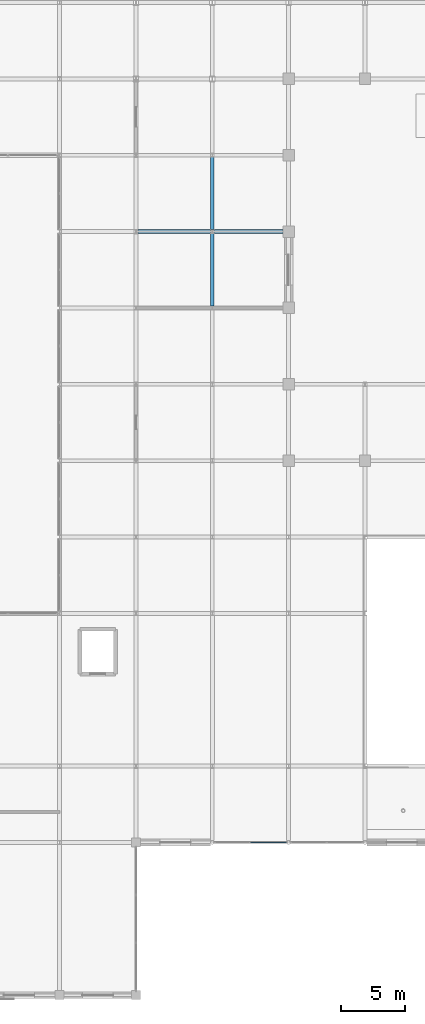
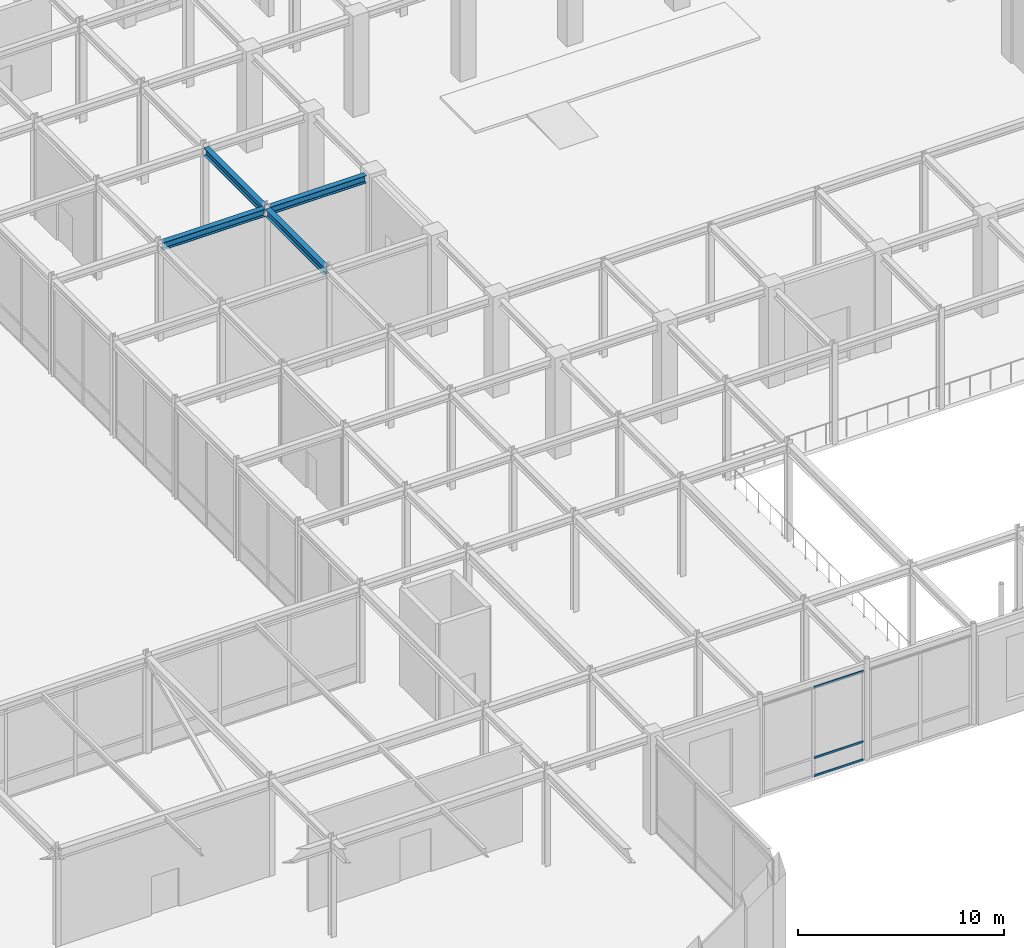
# One storey, part 53 of 108: 4 beams, 3 members, 1 element without a shape of its own.
"""IFC4 building model written with IfcOpenShell, lengths in metres."""

from ifc_helpers import new_model, si_unit, direction, frame, origin, origin_2d, place, context, subcontext, project, spatial, hollow_rectangle, i_section, extrude, material, layer, layer_set, material_profile, profile_set, type_object, element, aggregate, save


model = new_model("IFC4")

# Units and contexts
model_context = context("Model", 3, precision=1e-05, world=origin(), true_north=direction((0.0, 1.0)))
body_context = subcontext(model_context, "Body", "Model", "MODEL_VIEW")
ifc_project = project(units=[si_unit("LENGTHUNIT", "METRE"), si_unit("AREAUNIT", "SQUARE_METRE"), si_unit("VOLUMEUNIT", "CUBIC_METRE"), si_unit("PLANEANGLEUNIT", "RADIAN"), si_unit("MASSUNIT", "GRAM", prefix="KILO")], contexts=[model_context])

# Site, building, storey
site_placement = place(None, origin())
site = spatial("IfcSite", under=ifc_project, at=site_placement, CompositionType="ELEMENT")
building_placement = place(site_placement, origin())
building = spatial("IfcBuilding", under=site, at=building_placement, Name="Zlatovratsky Civic Hall", CompositionType="ELEMENT")
storey_placement = place(building_placement, frame((0.0, 0.0, 6.0)))
storey = spatial("IfcBuildingStorey", under=building, at=storey_placement, Name="L02", CompositionType="ELEMENT", Elevation=6.0)

# Beams
ifc_material_1 = material(Name="Steel S355", Category="steel")
ifc_material_profile_1 = material_profile(ifc_material_1, i_section(OverallWidth=0.300048828125, OverallDepth=0.43994140625, WebThickness=0.010986328125, FlangeThickness=0.01806640625, FilletRadius=0.02197265625, at=origin_2d()), Name="45Sh1")
ifc_profile_set_1 = profile_set([ifc_material_profile_1], Name="Steel S355")
beam_type = type_object("IfcBeamType", Name="Beam_TowerLow_45Sh1", PredefinedType="BEAM", material=ifc_profile_set_1)
beam_1_placement = place(storey_placement, frame((54.14990234375, 60.0, 5.5400390625), z_axis=(1.0, 0.0, 0.0), x_axis=(0.0, 1.0, 0.0)))
element("IfcBeam", 1, at=beam_1_placement, inside=storey, type_object=beam_type, Name="BM-1862", PredefinedType="BEAM", context=body_context, shape_type="SweptSolid", body=[
    extrude(i_section(OverallWidth=0.300048828125, OverallDepth=0.43994140625, WebThickness=0.010986328125, FlangeThickness=0.01806640625, FilletRadius=0.02197265625, at=origin_2d()), origin(), (0.0, 0.0, 1.0), 5.7001953125),
])
beam_2_placement = place(storey_placement, frame((60.14990234375, 60.0, 5.5400390625), z_axis=(1.0, 0.0, 0.0), x_axis=(0.0, 1.0, 0.0)))
element("IfcBeam", 2, at=beam_2_placement, inside=storey, type_object=beam_type, Name="BM-1863", PredefinedType="BEAM", context=body_context, shape_type="SweptSolid", body=[
    extrude(i_section(OverallWidth=0.300048828125, OverallDepth=0.43994140625, WebThickness=0.010986328125, FlangeThickness=0.01806640625, FilletRadius=0.02197265625, at=origin_2d()), origin(), (0.0, 0.0, 1.0), 5.400146484375),
])
for number, where, z_axis, x_axis, name in (
    (3, (60.0, 54.14990234375, 5.5400390625), (0.0, 1.0, 0.0), (-1.0, 0.0, 0.0), "BM-2170"),
    (4, (60.0, 60.14990234375, 5.5400390625), (0.0, 1.0, 0.0), (-1.0, 0.0, 0.0), "BM-2171"),
):
    element("IfcBeam", number, at=place(storey_placement, frame(where, z_axis=z_axis, x_axis=x_axis)), inside=storey, type_object=beam_type, Name=name, PredefinedType="BEAM", context=body_context, shape_type="SweptSolid", body=[
        extrude(i_section(OverallWidth=0.300048828125, OverallDepth=0.43994140625, WebThickness=0.010986328125, FlangeThickness=0.01806640625, FilletRadius=0.02197265625, at=origin_2d()), origin(), (0.0, 0.0, 1.0), 5.7001953125),
    ])

# Curtain wall, members
ifc_material_2 = material(Name="Anodised bronze aluminium", Category="aluminium")
ifc_layer = layer(ifc_material_2, 0.159912109375)
ifc_layer_set = layer_set([ifc_layer], Name="Anodised bronze aluminium")
curtain_wall_type = type_object("IfcCurtainWallType", Name="CurtainWall_Bronze_5730x5310_03", PredefinedType="NOTDEFINED", material=ifc_layer_set)
curtain_wall_placement = place(storey_placement, origin())
curtain_wall = element("IfcCurtainWall", 5, at=curtain_wall_placement, inside=storey, type_object=curtain_wall_type, Name="CW-005", PredefinedType="NOTDEFINED")
ifc_material_profile_2 = material_profile(ifc_material_2, hollow_rectangle(XDim=0.06005859375, YDim=0.1201171875, WallThickness=0.00390625, at=origin_2d()), Name="ALU 60x120x4")
ifc_profile_set_2 = profile_set([ifc_material_profile_2], Name="Anodised bronze aluminium")
member_type = type_object("IfcMemberType", Name="CW_Transom_60x120", PredefinedType="USERDEFINED", material=ifc_profile_set_2)
member_1_placement = place(storey_placement, frame((63.030029296875, 12.0, 0.030029296875), z_axis=(1.0, 0.0, 0.0), x_axis=(0.0, 1.0, 0.0)))
member_1 = element("IfcMember", 6, at=member_1_placement, type_object=member_type, Name="CW-03 transom 2.1", ObjectType="TRANSOM", PredefinedType="USERDEFINED", context=body_context, shape_type="SweptSolid", body=[
    extrude(hollow_rectangle(XDim=0.06005859375, YDim=0.1201171875, WallThickness=0.00390625, at=origin_2d()), origin(), (0.0, 0.0, 1.0), 2.7734375),
])
member_2_placement = place(storey_placement, frame((63.030029296875, 12.0, 1.10009765625), z_axis=(1.0, 0.0, 0.0), x_axis=(0.0, 1.0, 0.0)))
member_2 = element("IfcMember", 7, at=member_2_placement, type_object=member_type, Name="CW-03 transom 2.2", ObjectType="TRANSOM", PredefinedType="USERDEFINED", context=body_context, shape_type="SweptSolid", body=[
    extrude(hollow_rectangle(XDim=0.06005859375, YDim=0.1201171875, WallThickness=0.00390625, at=origin_2d()), origin(), (0.0, 0.0, 1.0), 2.7734375),
])
member_3_placement = place(storey_placement, frame((63.030029296875, 12.0, 5.280029296875), z_axis=(1.0, 0.0, 0.0), x_axis=(0.0, 1.0, 0.0)))
member_3 = element("IfcMember", 8, at=member_3_placement, type_object=member_type, Name="CW-03 transom 2.3", ObjectType="TRANSOM", PredefinedType="USERDEFINED", context=body_context, shape_type="SweptSolid", body=[
    extrude(hollow_rectangle(XDim=0.06005859375, YDim=0.1201171875, WallThickness=0.00390625, at=origin_2d()), origin(), (0.0, 0.0, 1.0), 2.7734375),
])
aggregate(curtain_wall, [member_1, member_2, member_3])

save(model, "model.ifc")
